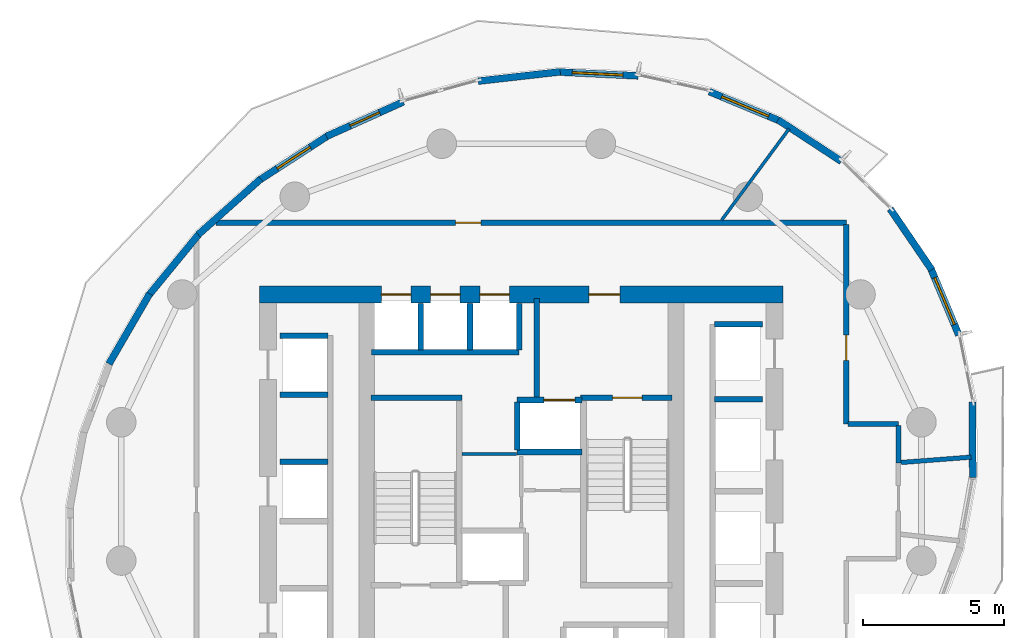
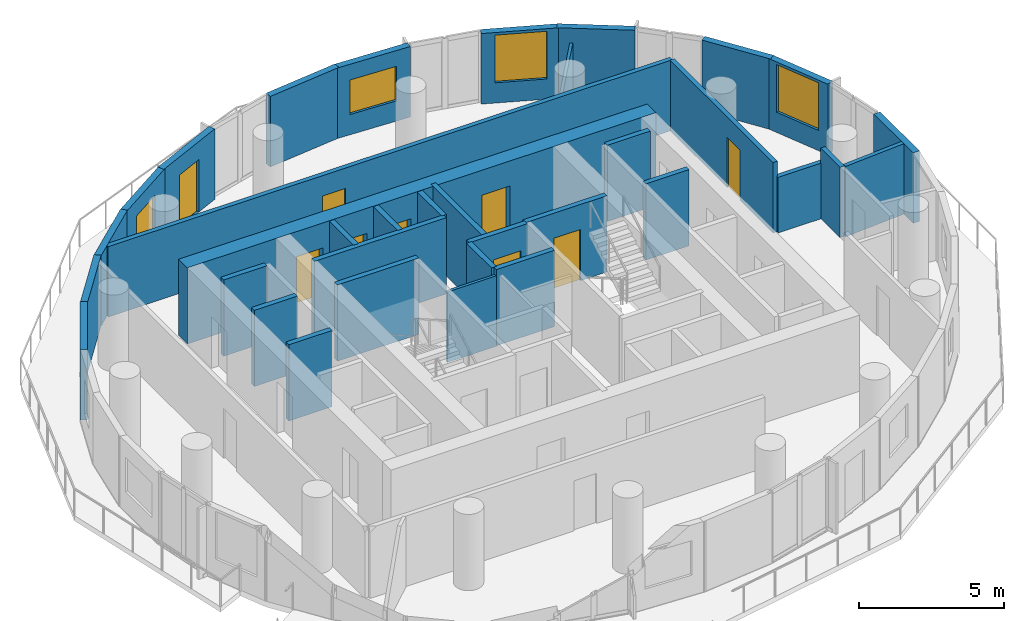
# One storey, part 5 of 11: 35 walls, 9 doors, 4 windows, 13 openings.
"""IFC4 building model written with IfcOpenShell, lengths in metres."""

from ifc_helpers import new_model, si_unit, direction, frame, frame_2d, origin, place, context, subcontext, project, spatial, rectangle, extrude, material, layer, layer_set, type_object, element, fill, save


model = new_model("IFC4")

# Units and contexts
model_context = context("Model", 3, precision=1e-05, world=origin(), true_north=direction((0.0, 1.0)))
body_context = subcontext(model_context, "Body", "Model", "MODEL_VIEW")
ifc_project = project(units=[si_unit("LENGTHUNIT", "METRE"), si_unit("AREAUNIT", "SQUARE_METRE"), si_unit("VOLUMEUNIT", "CUBIC_METRE"), si_unit("PLANEANGLEUNIT", "RADIAN"), si_unit("MASSUNIT", "GRAM", prefix="KILO")], contexts=[model_context])

# Site, building, storey
site_placement = place(None, origin())
site = spatial("IfcSite", under=ifc_project, at=site_placement, CompositionType="ELEMENT")
building_placement = place(site_placement, origin())
building = spatial("IfcBuilding", under=site, at=building_placement, Name="Veldorim Arch Residences", CompositionType="ELEMENT")
storey_placement = place(building_placement, frame((0.0, 0.0, 116.9599609375)))
storey = spatial("IfcBuildingStorey", under=building, at=storey_placement, Name="L34", CompositionType="ELEMENT", Elevation=116.9599609375)

# Wall, opening, door
ifc_material_1 = material(Name="Lightweight Masonry Block & Gypsum", Category="masonry")
ifc_layer_1 = layer(ifc_material_1, 0.179931640625, Name="Compartment & Corridor Fire-Rated Party Wall 180")
ifc_layer_set_1 = layer_set([ifc_layer_1], Name="Lightweight Masonry Block & Gypsum")
wall_type_1 = type_object("IfcWallType", Name="Compartment & Corridor Fire-Rated Party Wall 180", PredefinedType="PARTITIONING", material=ifc_layer_set_1)
wall_1_placement = place(storey_placement, frame((21.152587890625, 33.550048828125, 0.0), z_axis=(0.0, 0.0, 1.0), x_axis=(1.0, 0.0, 0.0)))
wall_1 = element("IfcWall", 1, at=wall_1_placement, inside=storey, type_object=wall_type_1, Name="L34 interior wall WL-SKY-L34-001", PredefinedType="PARTITIONING", context=body_context, shape_type="SweptSolid", body=[
    extrude(rectangle(XDim=22.3974609375, YDim=0.179931640625, at=frame_2d((11.19873046875, 0.0))), origin(), (0.0, 0.0, 1.0), 2.955078125),
])
opening_1_placement = place(wall_1_placement, frame((8.51171875, 0.0, 0.0)))
opening_1 = element("IfcOpeningElement", 2, at=opening_1_placement, cuts=wall_1, Name="Opening DR-INT", PredefinedType="OPENING", context=body_context, shape_type="SweptSolid", body=[
    extrude(rectangle(XDim=0.89990234375, YDim=2.10009765625, at=frame_2d((0.449951171875, 1.050048828125))), frame((0.0, 0.099853515625, 0.0), z_axis=(0.0, -1.0, 0.0), x_axis=(1.0, 0.0, 0.0)), (0.0, 0.0, 1.0), 0.199951171875),
])
ifc_material_2 = material(Name="Engineered Timber", Category="wood")
door_type_1 = type_object("IfcDoorType", Name="Apartment Internal Room Timber Door 900x2100", OperationType="SINGLE_SWING_LEFT", PredefinedType="DOOR", material=ifc_material_2)
door_1_placement = place(opening_1_placement, origin())
door_1 = element("IfcDoor", 3, at=door_1_placement, inside=storey, type_object=door_type_1, Name="L34 interior door DR-SKY-L34-001", OperationType="SINGLE_SWING_LEFT", OverallHeight=2.10009765625, OverallWidth=0.89990234375, PredefinedType="DOOR", context=body_context, shape_type="SweptSolid", body=[
    extrude(rectangle(XDim=0.89990234375, YDim=2.10009765625, at=frame_2d((0.449951171875, 1.050048828125))), frame((0.0, 0.02490234375, 0.0), z_axis=(0.0, -1.0, 0.0), x_axis=(1.0, 0.0, 0.0)), (0.0, 0.0, 1.0), 0.050048828125),
])
fill(opening_1, door_1)

wall_2_placement = place(storey_placement, frame((43.550048828125, 33.489990234375, 0.0), z_axis=(0.0, 0.0, 1.0), x_axis=(0.0, -1.0, 0.0)))
wall_2 = element("IfcWall", 4, at=wall_2_placement, inside=storey, type_object=wall_type_1, Name="L34 interior wall WL-SKY-L34-007", PredefinedType="PARTITIONING", context=body_context, shape_type="SweptSolid", body=[
    extrude(rectangle(XDim=7.090087890625, YDim=0.179931640625, at=frame_2d((3.544921875, 0.0))), origin(), (0.0, 0.0, 1.0), 2.955078125),
])
opening_2_placement = place(wall_2_placement, frame((3.93505859375, 0.0, 0.0)))
opening_2 = element("IfcOpeningElement", 5, at=opening_2_placement, cuts=wall_2, Name="Opening DR-INT", PredefinedType="OPENING", context=body_context, shape_type="SweptSolid", body=[
    extrude(rectangle(XDim=0.89990234375, YDim=2.10009765625, at=frame_2d((0.449951171875, 1.050048828125))), frame((0.0, 0.099853515625, 0.0), z_axis=(0.0, -1.0, 0.0), x_axis=(1.0, 0.0, 0.0)), (0.0, 0.0, 1.0), 0.199951171875),
])
door_2_placement = place(opening_2_placement, origin())
door_2 = element("IfcDoor", 6, at=door_2_placement, inside=storey, type_object=door_type_1, Name="L34 interior door DR-SKY-L34-005", OperationType="SINGLE_SWING_LEFT", OverallHeight=2.10009765625, OverallWidth=0.89990234375, PredefinedType="DOOR", context=body_context, shape_type="SweptSolid", body=[
    extrude(rectangle(XDim=0.89990234375, YDim=2.10009765625, at=frame_2d((0.449951171875, 1.050048828125))), frame((0.0, 0.02490234375, 0.0), z_axis=(0.0, -1.0, 0.0), x_axis=(1.0, 0.0, 0.0)), (0.0, 0.0, 1.0), 0.050048828125),
])
fill(opening_2, door_2)

# Walls
wall_3_placement = place(storey_placement, frame((43.610107421875, 26.39990234375, 0.0), z_axis=(0.0, 0.0, 1.0), x_axis=(1.0, 0.0, 0.0)))
element("IfcWall", 7, at=wall_3_placement, inside=storey, type_object=wall_type_1, Name="L34 interior wall WL-SKY-L34-008", PredefinedType="PARTITIONING", context=body_context, shape_type="SweptSolid", body=[
    extrude(rectangle(XDim=1.789794921875, YDim=0.179931640625, at=frame_2d((0.89501953125, 0.0))), origin(), (0.0, 0.0, 1.0), 2.3359375),
])
wall_4_placement = place(storey_placement, frame((45.39990234375, 26.340087890625, 0.0), z_axis=(0.0, 0.0, 1.0), x_axis=(0.0, -1.0, 0.0)))
element("IfcWall", 8, at=wall_4_placement, inside=storey, type_object=wall_type_1, Name="L34 interior wall WL-SKY-L34-009", PredefinedType="PARTITIONING", context=body_context, shape_type="SweptSolid", body=[
    extrude(rectangle(XDim=1.33837890625, YDim=0.179931640625, at=frame_2d((0.669189453125, 0.0))), origin(), (0.0, 0.0, 1.0), 2.955078125),
])
ifc_material_3 = material(Name="Concrete C50/60", Category="concrete")
ifc_layer_2 = layer(ifc_material_3, 0.199951171875, Name="Core Stair & Lift Shaft Enclosure Wall 200")
ifc_layer_set_2 = layer_set([ifc_layer_2], Name="Concrete C50/60")
wall_type_2 = type_object("IfcWallType", Name="Core Stair & Lift Shaft Enclosure Wall 200", PredefinedType="SHEAR", material=ifc_layer_set_2)
wall_5_placement = place(storey_placement, frame((26.64990234375, 27.330078125, 0.0), z_axis=(0.0, 0.0, 1.0), x_axis=(1.0, 0.0, 0.0)))
element("IfcWall", 9, at=wall_5_placement, inside=storey, type_object=wall_type_2, Name="L34 shaft wall WL-SHF-L34-ST1-N", PredefinedType="SHEAR", context=body_context, shape_type="SweptSolid", body=[
    extrude(rectangle(XDim=3.239990234375, YDim=0.199951171875, at=frame_2d((1.6201171875, 0.0))), origin(), (0.0, 0.0, 1.0), 3.199951171875),
])

# Wall, opening, door
wall_6_placement = place(storey_placement, frame((34.110107421875, 27.330078125, 0.0), z_axis=(0.0, 0.0, 1.0), x_axis=(1.0, 0.0, 0.0)))
wall_6 = element("IfcWall", 10, at=wall_6_placement, inside=storey, type_object=wall_type_2, Name="L34 shaft wall WL-SHF-L34-ST2-N", PredefinedType="SHEAR", context=body_context, shape_type="SweptSolid", body=[
    extrude(rectangle(XDim=3.239990234375, YDim=0.199951171875, at=frame_2d((1.6201171875, 0.0))), origin(), (0.0, 0.0, 1.0), 3.199951171875),
])
opening_3_placement = place(wall_6_placement, frame((1.135009765625, 0.0, 0.0)))
opening_3 = element("IfcOpeningElement", 11, at=opening_3_placement, cuts=wall_6, Name="Opening DR-ST", PredefinedType="OPENING", context=body_context, shape_type="SweptSolid", body=[
    extrude(rectangle(XDim=1.050048828125, YDim=2.14990234375, at=frame_2d((0.52490234375, 1.074951171875))), frame((0.0, 0.10986328125, 0.0), z_axis=(0.0, -1.0, 0.0), x_axis=(1.0, 0.0, 0.0)), (0.0, 0.0, 1.0), 0.219970703125),
])
ifc_material_4 = material(Name="Fire-Rated Steel", Category="steel")
door_type_2 = type_object("IfcDoorType", Name="Exit Staircase Self-Closing Fire Door 1050x2150", OperationType="SINGLE_SWING_LEFT", PredefinedType="DOOR", material=ifc_material_4)
door_3_placement = place(opening_3_placement, origin())
door_3 = element("IfcDoor", 12, at=door_3_placement, inside=storey, type_object=door_type_2, Name="L34 interior door DR-L34-ST2", OperationType="SINGLE_SWING_RIGHT", OverallHeight=2.14990234375, OverallWidth=1.050048828125, PredefinedType="DOOR", context=body_context, shape_type="SweptSolid", body=[
    extrude(rectangle(XDim=1.050048828125, YDim=2.14990234375, at=frame_2d((0.52490234375, 1.074951171875))), frame((0.0, 0.02490234375, 0.0), z_axis=(0.0, -1.0, 0.0), x_axis=(1.0, 0.0, 0.0)), (0.0, 0.0, 1.0), 0.050048828125),
])
fill(opening_3, door_3)

# Wall
wall_7_placement = place(storey_placement, frame((32.550048828125, 27.35009765625, 0.0), z_axis=(0.0, 0.0, 1.0), x_axis=(0.0, 1.0, 0.0)))
element("IfcWall", 13, at=wall_7_placement, inside=storey, type_object=wall_type_2, Name="L34 shaft wall WL-FFL2-L34-W", PredefinedType="SHEAR", context=body_context, shape_type="SweptSolid", body=[
    extrude(rectangle(XDim=3.5, YDim=0.199951171875, at=frame_2d((1.75, 0.0))), origin(), (0.0, 0.0, 1.0), 3.199951171875),
])

# Wall, opening, door
wall_8_placement = place(storey_placement, frame((31.85009765625, 27.25, 0.0), z_axis=(0.0, 0.0, 1.0), x_axis=(1.0, 0.0, 0.0)))
wall_8 = element("IfcWall", 14, at=wall_8_placement, inside=storey, type_object=wall_type_2, Name="L34 shaft wall WL-FL02-L34-N", PredefinedType="SHEAR", context=body_context, shape_type="SweptSolid", body=[
    extrude(rectangle(XDim=2.2998046875, YDim=0.199951171875, at=frame_2d((1.14990234375, 0.0))), origin(), (0.0, 0.0, 1.0), 3.199951171875),
])
opening_4_placement = place(wall_8_placement, frame((0.949951171875, 0.0, 0.0)))
opening_4 = element("IfcOpeningElement", 15, at=opening_4_placement, cuts=wall_8, Name="Opening LD-FF", PredefinedType="OPENING", context=body_context, shape_type="SweptSolid", body=[
    extrude(rectangle(XDim=1.10009765625, YDim=2.14990234375, at=frame_2d((0.550048828125, 1.074951171875))), frame((0.0, 0.10986328125, 0.0), z_axis=(0.0, -1.0, 0.0), x_axis=(1.0, 0.0, 0.0)), (0.0, 0.0, 1.0), 0.219970703125),
])
ifc_material_5 = material(Name="Stainless Steel", Category="steel")
door_type_3 = type_object("IfcDoorType", Name="Firefighting Lift Bi-Parting Sliding Landing Door 1100x2150", OperationType="DOUBLE_DOOR_SLIDING", PredefinedType="DOOR", material=ifc_material_5)
door_4_placement = place(opening_4_placement, origin())
door_4 = element("IfcDoor", 16, at=door_4_placement, inside=storey, type_object=door_type_3, Name="L34 lift landing door LD-L34-FL02", OperationType="DOUBLE_DOOR_SLIDING", OverallHeight=2.14990234375, OverallWidth=1.10009765625, PredefinedType="DOOR", context=body_context, shape_type="SweptSolid", body=[
    extrude(rectangle(XDim=1.10009765625, YDim=2.14990234375, at=frame_2d((0.550048828125, 1.074951171875))), frame((0.0, 0.02490234375, 0.0), z_axis=(0.0, -1.0, 0.0), x_axis=(1.0, 0.0, 0.0)), (0.0, 0.0, 1.0), 0.050048828125),
])
fill(opening_4, door_4)

# Walls
wall_9_placement = place(storey_placement, frame((31.85009765625, 25.39990234375, 0.0), z_axis=(0.0, 0.0, 1.0), x_axis=(1.0, 0.0, 0.0)))
element("IfcWall", 17, at=wall_9_placement, inside=storey, type_object=wall_type_2, Name="L34 shaft wall WL-FL02-L34-S", PredefinedType="SHEAR", context=body_context, shape_type="SweptSolid", body=[
    extrude(rectangle(XDim=2.2998046875, YDim=0.199951171875, at=frame_2d((1.14990234375, 0.0))), origin(), (0.0, 0.0, 1.0), 3.199951171875),
])
for number, where, z_axis, x_axis, name in (
    (18, (31.85009765625, 25.469970703125, 0.0), (0.0, 0.0, 1.0), (0.0, 1.0, 0.0), "L34 shaft wall WL-FL02-L34-W"),
    (19, (38.8701171875, 29.93994140625, 0.0), (0.0, 0.0, 1.0), (1.0, 0.0, 0.0), "L34 shaft wall WL-B1-L34-N"),
    (20, (38.8701171875, 27.27490234375, 0.0), (0.0, 0.0, 1.0), (1.0, 0.0, 0.0), "L34 shaft wall WL-B1-L34-D3"),
    (21, (23.419921875, 29.5400390625, 0.0), (0.0, 0.0, 1.0), (1.0, 0.0, 0.0), "L34 shaft wall WL-B2-L34-N"),
    (22, (23.419921875, 25.06005859375, 0.0), (0.0, 0.0, 1.0), (1.0, 0.0, 0.0), "L34 shaft wall WL-B2-L34-D2A"),
    (23, (23.419921875, 27.43994140625, 0.0), (0.0, 0.0, 1.0), (1.0, 0.0, 0.0), "L34 shaft wall WL-B2-L34-D2B"),
):
    element("IfcWall", number, at=place(storey_placement, frame(where, z_axis=z_axis, x_axis=x_axis)), inside=storey, type_object=wall_type_2, Name=name, PredefinedType="SHEAR", context=body_context, shape_type="SweptSolid", body=[
        extrude(rectangle(XDim=1.7099609375, YDim=0.199951171875, at=frame_2d((0.85498046875, 0.0))), origin(), (0.0, 0.0, 1.0), 3.199951171875),
    ])
wall_10_placement = place(storey_placement, frame((26.679931640625, 28.949951171875, 0.0), z_axis=(0.0, 0.0, 1.0), x_axis=(1.0, 0.0, 0.0)))
element("IfcWall", 24, at=wall_10_placement, inside=storey, type_object=wall_type_2, Name="L34 shaft wall WL-B3-L34-S", PredefinedType="SHEAR", context=body_context, shape_type="SweptSolid", body=[
    extrude(rectangle(XDim=5.239990234375, YDim=0.199951171875, at=frame_2d((2.6201171875, 0.0))), origin(), (0.0, 0.0, 1.0), 3.199951171875),
])
for number, where, z_axis, x_axis, name in (
    (25, (31.919921875, 29.02001953125, 0.0), (0.0, 0.0, 1.0), (0.0, 1.0, 0.0), "L34 shaft wall WL-B3-L34-E"),
    (26, (28.425048828125, 29.02001953125, 0.0), (0.0, 0.0, 1.0), (0.0, 1.0, 0.0), "L34 shaft wall WL-B3-L34-D1"),
    (27, (30.175048828125, 29.02001953125, 0.0), (0.0, 0.0, 1.0), (0.0, 1.0, 0.0), "L34 shaft wall WL-B3-L34-D2"),
):
    element("IfcWall", number, at=place(storey_placement, frame(where, z_axis=z_axis, x_axis=x_axis)), inside=storey, type_object=wall_type_2, Name=name, PredefinedType="SHEAR", context=body_context, shape_type="SweptSolid", body=[
        extrude(rectangle(XDim=1.659912109375, YDim=0.199951171875, at=frame_2d((0.830078125, 0.0))), origin(), (0.0, 0.0, 1.0), 3.199951171875),
    ])

# Wall, openings, doors
ifc_material_6 = material(Name="Concrete C50/60", Category="concrete")
ifc_layer_3 = layer(ifc_material_6, 0.60009765625, Name="Mid-Upper Central Core Shear Wall 600")
ifc_layer_set_3 = layer_set([ifc_layer_3], Name="Concrete C50/60")
wall_type_3 = type_object("IfcWallType", Name="Mid-Upper Central Core Shear Wall 600", PredefinedType="SHEAR", material=ifc_layer_set_3)
wall_11_placement = place(storey_placement, frame((22.699951171875, 31.0, 0.0), z_axis=(0.0, 0.0, 1.0), x_axis=(1.0, 0.0, 0.0)))
wall_11 = element("IfcWall", 28, at=wall_11_placement, inside=storey, type_object=wall_type_3, Name="L34 central core north shear wall", PredefinedType="SHEAR", context=body_context, shape_type="SweptSolid", body=[
    extrude(rectangle(XDim=18.60009765625, YDim=0.60009765625, at=frame_2d((9.300048828125, 0.0))), origin(), (0.0, 0.0, 1.0), 3.199951171875),
])
opening_5_placement = place(wall_11_placement, frame((11.699951171875, 0.0, 0.0)))
opening_5 = element("IfcOpeningElement", 29, at=opening_5_placement, cuts=wall_11, Name="Opening DR-FFL", PredefinedType="OPENING", context=body_context, shape_type="SweptSolid", body=[
    extrude(rectangle(XDim=1.10009765625, YDim=2.14990234375, at=frame_2d((0.550048828125, 1.074951171875))), frame((0.0, 0.31005859375, 0.0), z_axis=(0.0, -1.0, 0.0), x_axis=(1.0, 0.0, 0.0)), (0.0, 0.0, 1.0), 0.6201171875),
])
opening_6_placement = place(wall_11_placement, frame((4.324951171875, 0.0, 0.0)))
opening_6 = element("IfcOpeningElement", 30, at=opening_6_placement, cuts=wall_11, Name="Opening LD-PS", PredefinedType="OPENING", context=body_context, shape_type="SweptSolid", body=[
    extrude(rectangle(XDim=1.050048828125, YDim=2.14990234375, at=frame_2d((0.52490234375, 1.074951171875))), frame((0.0, 0.31005859375, 0.0), z_axis=(0.0, -1.0, 0.0), x_axis=(1.0, 0.0, 0.0)), (0.0, 0.0, 1.0), 0.6201171875),
])
opening_7_placement = place(wall_11_placement, frame((6.074951171875, 0.0, 0.0)))
opening_7 = element("IfcOpeningElement", 31, at=opening_7_placement, cuts=wall_11, Name="Opening LD-PS", PredefinedType="OPENING", context=body_context, shape_type="SweptSolid", body=[
    extrude(rectangle(XDim=1.050048828125, YDim=2.14990234375, at=frame_2d((0.52490234375, 1.074951171875))), frame((0.0, 0.31005859375, 0.0), z_axis=(0.0, -1.0, 0.0), x_axis=(1.0, 0.0, 0.0)), (0.0, 0.0, 1.0), 0.6201171875),
])
opening_8_placement = place(wall_11_placement, frame((7.824951171875, 0.0, 0.0)))
opening_8 = element("IfcOpeningElement", 32, at=opening_8_placement, cuts=wall_11, Name="Opening LD-PS", PredefinedType="OPENING", context=body_context, shape_type="SweptSolid", body=[
    extrude(rectangle(XDim=1.050048828125, YDim=2.14990234375, at=frame_2d((0.52490234375, 1.074951171875))), frame((0.0, 0.31005859375, 0.0), z_axis=(0.0, -1.0, 0.0), x_axis=(1.0, 0.0, 0.0)), (0.0, 0.0, 1.0), 0.6201171875),
])
ifc_material_7 = material(Name="Fire-Rated Steel & Vision Glass", Category="steel")
door_type_4 = type_object("IfcDoorType", Name="Firefighting Lobby Smoke-Stop Fire Door 1100x2150", OperationType="SINGLE_SWING_LEFT", PredefinedType="DOOR", material=ifc_material_7)
door_5_placement = place(opening_5_placement, origin())
door_5 = element("IfcDoor", 33, at=door_5_placement, inside=storey, type_object=door_type_4, Name="L34 interior door DR-L34-FFL2", OperationType="SINGLE_SWING_LEFT", OverallHeight=2.14990234375, OverallWidth=1.10009765625, PredefinedType="DOOR", context=body_context, shape_type="SweptSolid", body=[
    extrude(rectangle(XDim=1.10009765625, YDim=2.14990234375, at=frame_2d((0.550048828125, 1.074951171875))), frame((0.0, 0.02490234375, 0.0), z_axis=(0.0, -1.0, 0.0), x_axis=(1.0, 0.0, 0.0)), (0.0, 0.0, 1.0), 0.050048828125),
])
fill(opening_5, door_5)
ifc_material_8 = material(Name="Stainless Steel", Category="steel")
door_type_5 = type_object("IfcDoorType", Name="Passenger Lift Bi-Parting Sliding Landing Door 1050x2150", OperationType="DOUBLE_DOOR_SLIDING", PredefinedType="DOOR", material=ifc_material_8)
door_6_placement = place(opening_6_placement, origin())
door_6 = element("IfcDoor", 34, at=door_6_placement, inside=storey, type_object=door_type_5, Name="L34 lift landing door LD-L34-PL-08", OperationType="DOUBLE_DOOR_SLIDING", OverallHeight=2.14990234375, OverallWidth=1.050048828125, PredefinedType="DOOR", context=body_context, shape_type="SweptSolid", body=[
    extrude(rectangle(XDim=1.050048828125, YDim=2.14990234375, at=frame_2d((0.52490234375, 1.074951171875))), frame((0.0, 0.02490234375, 0.0), z_axis=(0.0, -1.0, 0.0), x_axis=(1.0, 0.0, 0.0)), (0.0, 0.0, 1.0), 0.050048828125),
])
fill(opening_6, door_6)
door_7_placement = place(opening_7_placement, origin())
door_7 = element("IfcDoor", 35, at=door_7_placement, inside=storey, type_object=door_type_5, Name="L34 lift landing door LD-L34-PL-09", OperationType="DOUBLE_DOOR_SLIDING", OverallHeight=2.14990234375, OverallWidth=1.050048828125, PredefinedType="DOOR", context=body_context, shape_type="SweptSolid", body=[
    extrude(rectangle(XDim=1.050048828125, YDim=2.14990234375, at=frame_2d((0.52490234375, 1.074951171875))), frame((0.0, 0.02490234375, 0.0), z_axis=(0.0, -1.0, 0.0), x_axis=(1.0, 0.0, 0.0)), (0.0, 0.0, 1.0), 0.050048828125),
])
fill(opening_7, door_7)
door_8_placement = place(opening_8_placement, origin())
door_8 = element("IfcDoor", 36, at=door_8_placement, inside=storey, type_object=door_type_5, Name="L34 lift landing door LD-L34-PL-10", OperationType="DOUBLE_DOOR_SLIDING", OverallHeight=2.14990234375, OverallWidth=1.050048828125, PredefinedType="DOOR", context=body_context, shape_type="SweptSolid", body=[
    extrude(rectangle(XDim=1.050048828125, YDim=2.14990234375, at=frame_2d((0.52490234375, 1.074951171875))), frame((0.0, 0.02490234375, 0.0), z_axis=(0.0, -1.0, 0.0), x_axis=(1.0, 0.0, 0.0)), (0.0, 0.0, 1.0), 0.050048828125),
])
fill(opening_8, door_8)

# Walls
ifc_material_9 = material(Name="Anodised Aluminium & Acoustic Panel", Category="aluminium")
ifc_layer_4 = layer(ifc_material_9, 0.110107421875, Name="Operable Acoustic Clinic & Community Folding Partition 110")
ifc_layer_set_4 = layer_set([ifc_layer_4], Name="Anodised Aluminium & Acoustic Panel")
wall_type_4 = type_object("IfcWallType", Name="Operable Acoustic Clinic & Community Folding Partition 110", PredefinedType="MOVABLE", material=ifc_layer_set_4)
wall_12_placement = place(storey_placement, frame((29.889892578125, 25.330078125, 0.0), z_axis=(0.0, 0.0, 1.0), x_axis=(1.0, 0.0, 0.0)))
element("IfcWall", 37, at=wall_12_placement, inside=storey, type_object=wall_type_4, Name="L34 interior wall WL-CA-L34-N", PredefinedType="MOVABLE", context=body_context, shape_type="SweptSolid", body=[
    extrude(rectangle(XDim=1.940185546875, YDim=0.110107421875, at=frame_2d((0.97021484375, 0.0))), origin(), (0.0, 0.0, 1.0), 2.955078125),
])
wall_13_placement = place(storey_placement, frame((41.5166015625, 36.88916015625, 0.0), z_axis=(0.0, 0.0, 1.0), x_axis=(-0.593954984118, -0.804498276469, 0.0)))
element("IfcWall", 38, at=wall_13_placement, inside=storey, type_object=wall_type_4, Name="L34 interior wall WL-SKY-L34-010", PredefinedType="MOVABLE", context=body_context, shape_type="SweptSolid", body=[
    extrude(rectangle(XDim=4.03076171875, YDim=0.110107421875, at=frame_2d((2.015380859375, 0.0))), origin(), (0.0, 0.0, 1.0), 2.3359375),
])
ifc_material_10 = material(Name="Precast concrete C40/50", Category="concrete")
ifc_layer_5 = layer(ifc_material_10, 0.25, Name="Tower Terracotta Spandrel & Pier Wall 250")
ifc_layer_set_5 = layer_set([ifc_layer_5], Name="Precast concrete C40/50")
wall_type_5 = type_object("IfcWallType", Name="Tower Terracotta Spandrel & Pier Wall 250", PredefinedType="SOLIDWALL", material=ifc_layer_set_5)
wall_14_placement = place(storey_placement, frame((45.111083984375, 34.0439453125, 0.0), z_axis=(0.0, 0.0, 1.0), x_axis=(0.563599495618, -0.826048187783, 0.0)))
element("IfcWall", 39, at=wall_14_placement, inside=storey, type_object=wall_type_5, Name="L34 terracotta facade wall 01", PredefinedType="SOLIDWALL", context=body_context, shape_type="SweptSolid", body=[
    extrude(rectangle(XDim=2.624267578125, YDim=0.25, at=frame_2d((1.31201171875, 0.0))), origin(), (0.0, 0.0, 1.0), 2.9599609375),
])
wall_15_placement = place(storey_placement, frame((41.125732421875, 37.2109375, 0.0), z_axis=(0.0, 0.0, 1.0), x_axis=(0.836445365251, -0.5480503179, 0.0)))
element("IfcWall", 40, at=wall_15_placement, inside=storey, type_object=wall_type_5, Name="L34 terracotta facade wall 03", PredefinedType="SOLIDWALL", context=body_context, shape_type="SweptSolid", body=[
    extrude(rectangle(XDim=2.69287109375, YDim=0.25, at=frame_2d((1.346435546875, 0.0))), origin(), (0.0, 0.0, 1.0), 2.9599609375),
])

# Wall, opening, window
wall_16_placement = place(storey_placement, frame((38.6845703125, 38.215576171875, 0.0), z_axis=(0.0, 0.0, 1.0), x_axis=(0.923242191478, -0.384218500172, 0.0)))
wall_16 = element("IfcWall", 41, at=wall_16_placement, inside=storey, type_object=wall_type_5, Name="L34 terracotta facade wall 04", PredefinedType="SOLIDWALL", context=body_context, shape_type="SweptSolid", body=[
    extrude(rectangle(XDim=2.751953125, YDim=0.25, at=frame_2d((1.3759765625, 0.0))), origin(), (0.0, 0.0, 1.0), 2.9599609375),
])
opening_9_placement = place(wall_16_placement, frame((0.47607421875, 0.0, 0.85009765625)))
opening_9 = element("IfcOpeningElement", 42, at=opening_9_placement, cuts=wall_16, Name="Opening WN-04", PredefinedType="OPENING", context=body_context, shape_type="SweptSolid", body=[
    extrude(rectangle(XDim=1.800048828125, YDim=2.0, at=frame_2d((0.89990234375, 1.0))), frame((0.0, 0.135009765625, 0.0), z_axis=(0.0, -1.0, 0.0), x_axis=(1.0, 0.0, 0.0)), (0.0, 0.0, 1.0), 0.27001953125),
])
ifc_material_11 = material(Name="Laminated Low-E Glass", Category="glass")
window_type_1 = type_object("IfcWindowType", Name="Sky Lounge Tall Picture Window 1800x1370", PartitioningType="SINGLE_PANEL", PredefinedType="WINDOW", material=ifc_material_11)
window_1_placement = place(opening_9_placement, origin())
window_1 = element("IfcWindow", 43, at=window_1_placement, inside=storey, type_object=window_type_1, Name="L34 solar-control facade window 04", OverallHeight=2.0, OverallWidth=1.800048828125, PartitioningType="SINGLE_PANEL", PredefinedType="WINDOW", context=body_context, shape_type="SweptSolid", body=[
    extrude(rectangle(XDim=1.800048828125, YDim=2.0, at=frame_2d((0.89990234375, 1.0))), frame((0.0, 0.030029296875, 0.0), z_axis=(0.0, -1.0, 0.0), x_axis=(1.0, 0.0, 0.0)), (0.0, 0.0, 1.0), 0.06005859375),
])
fill(opening_9, window_1)

wall_17_placement = place(storey_placement, frame((33.271240234375, 38.913818359375, 0.0), z_axis=(0.0, 0.0, 1.0), x_axis=(0.998829284317, -0.048374174838, 0.0)))
wall_17 = element("IfcWall", 44, at=wall_17_placement, inside=storey, type_object=wall_type_5, Name="L34 terracotta facade wall 06", PredefinedType="SOLIDWALL", context=body_context, shape_type="SweptSolid", body=[
    extrude(rectangle(XDim=2.8818359375, YDim=0.25, at=frame_2d((1.44091796875, 0.0))), origin(), (0.0, 0.0, 1.0), 2.9599609375),
])
opening_10_placement = place(wall_17_placement, frame((0.541015625, 0.0, 0.85009765625)))
opening_10 = element("IfcOpeningElement", 45, at=opening_10_placement, cuts=wall_17, Name="Opening WN-04", PredefinedType="OPENING", context=body_context, shape_type="SweptSolid", body=[
    extrude(rectangle(XDim=1.800048828125, YDim=1.449951171875, at=frame_2d((0.89990234375, 0.72509765625))), frame((0.0, 0.135009765625, 0.0), z_axis=(0.0, -1.0, 0.0), x_axis=(1.0, 0.0, 0.0)), (0.0, 0.0, 1.0), 0.27001953125),
])
window_2_placement = place(opening_10_placement, origin())
window_2 = element("IfcWindow", 46, at=window_2_placement, inside=storey, type_object=window_type_1, Name="L34 solar-control facade window 06", OverallHeight=1.449951171875, OverallWidth=1.800048828125, PartitioningType="SINGLE_PANEL", PredefinedType="WINDOW", context=body_context, shape_type="SweptSolid", body=[
    extrude(rectangle(XDim=1.800048828125, YDim=1.449951171875, at=frame_2d((0.89990234375, 0.72509765625))), frame((0.0, 0.030029296875, 0.0), z_axis=(0.0, -1.0, 0.0), x_axis=(1.0, 0.0, 0.0)), (0.0, 0.0, 1.0), 0.06005859375),
])
fill(opening_10, window_2)

# Wall
wall_18_placement = place(storey_placement, frame((30.462890625, 38.58544921875, 0.0), z_axis=(0.0, 0.0, 1.0), x_axis=(0.993589349096, 0.113049570382, 0.0)))
element("IfcWall", 47, at=wall_18_placement, inside=storey, type_object=wall_type_5, Name="L34 terracotta facade wall 07", PredefinedType="SOLIDWALL", context=body_context, shape_type="SweptSolid", body=[
    extrude(rectangle(XDim=2.93701171875, YDim=0.25, at=frame_2d((1.468505859375, 0.0))), origin(), (0.0, 0.0, 1.0), 2.9599609375),
])

# Wall, opening, door
wall_19_placement = place(storey_placement, frame((25.068603515625, 36.62060546875, 0.0), z_axis=(0.0, 0.0, 1.0), x_axis=(0.912043359661, 0.410093782076, 0.0)))
wall_19 = element("IfcWall", 48, at=wall_19_placement, inside=storey, type_object=wall_type_5, Name="L34 terracotta facade wall 09", PredefinedType="SOLIDWALL", context=body_context, shape_type="SweptSolid", body=[
    extrude(rectangle(XDim=2.998046875, YDim=0.25, at=frame_2d((1.4990234375, 0.0))), origin(), (0.0, 0.0, 1.0), 2.9599609375),
])
opening_11_placement = place(wall_19_placement, frame((0.924072265625, 0.0, 0.0)))
opening_11 = element("IfcOpeningElement", 49, at=opening_11_placement, cuts=wall_19, Name="Opening BL-DR", PredefinedType="OPENING", context=body_context, shape_type="SweptSolid", body=[
    extrude(rectangle(XDim=1.14990234375, YDim=2.199951171875, at=frame_2d((0.574951171875, 1.10009765625))), frame((0.0, 0.135009765625, 0.0), z_axis=(0.0, -1.0, 0.0), x_axis=(1.0, 0.0, 0.0)), (0.0, 0.0, 1.0), 0.27001953125),
])
ifc_material_12 = material(Name="Aluminium & Low-E Glass", Category="aluminium")
door_type_6 = type_object("IfcDoorType", Name="Glazed Planted Balcony Door 1150x2200", OperationType="SINGLE_SWING_LEFT", PredefinedType="DOOR", material=ifc_material_12)
door_9_placement = place(opening_11_placement, origin())
door_9 = element("IfcDoor", 50, at=door_9_placement, inside=storey, type_object=door_type_6, Name="L34 glazed outdoor terrace door BALC-1", OperationType="SINGLE_SWING_LEFT", OverallHeight=2.199951171875, OverallWidth=1.14990234375, PredefinedType="DOOR", context=body_context, shape_type="SweptSolid", body=[
    extrude(rectangle(XDim=1.14990234375, YDim=2.199951171875, at=frame_2d((0.574951171875, 1.10009765625))), frame((0.0, 0.02490234375, 0.0), z_axis=(0.0, -1.0, 0.0), x_axis=(1.0, 0.0, 0.0)), (0.0, 0.0, 1.0), 0.050048828125),
])
fill(opening_11, door_9)

# Wall, opening, window
wall_20_placement = place(storey_placement, frame((22.646728515625, 35.043701171875, 0.0), z_axis=(0.0, 0.0, 1.0), x_axis=(0.839563603446, 0.543261406478, 0.0)))
wall_20 = element("IfcWall", 51, at=wall_20_placement, inside=storey, type_object=wall_type_5, Name="L34 terracotta facade wall 10", PredefinedType="SOLIDWALL", context=body_context, shape_type="SweptSolid", body=[
    extrude(rectangle(XDim=2.998291015625, YDim=0.25, at=frame_2d((1.4990234375, 0.0))), origin(), (0.0, 0.0, 1.0), 2.9599609375),
])
opening_12_placement = place(wall_20_placement, frame((0.799072265625, 0.0, 0.85009765625)))
opening_12 = element("IfcOpeningElement", 52, at=opening_12_placement, cuts=wall_20, Name="Opening WN-02", PredefinedType="OPENING", context=body_context, shape_type="SweptSolid", body=[
    extrude(rectangle(XDim=1.39990234375, YDim=1.449951171875, at=frame_2d((0.699951171875, 0.72509765625))), frame((0.0, 0.135009765625, 0.0), z_axis=(0.0, -1.0, 0.0), x_axis=(1.0, 0.0, 0.0)), (0.0, 0.0, 1.0), 0.27001953125),
])
ifc_material_13 = material(Name="Laminated Low-E Glass", Category="glass")
window_type_2 = type_object("IfcWindowType", Name="Residential Casement Window 1400x1550", PartitioningType="SINGLE_PANEL", PredefinedType="WINDOW", material=ifc_material_13)
window_3_placement = place(opening_12_placement, origin())
window_3 = element("IfcWindow", 53, at=window_3_placement, inside=storey, type_object=window_type_2, Name="L34 solar-control facade window 10", OverallHeight=1.449951171875, OverallWidth=1.39990234375, PartitioningType="SINGLE_PANEL", PredefinedType="WINDOW", context=body_context, shape_type="SweptSolid", body=[
    extrude(rectangle(XDim=1.39990234375, YDim=1.449951171875, at=frame_2d((0.699951171875, 0.72509765625))), frame((0.0, 0.030029296875, 0.0), z_axis=(0.0, -1.0, 0.0), x_axis=(1.0, 0.0, 0.0)), (0.0, 0.0, 1.0), 0.06005859375),
])
fill(opening_12, window_3)

# Walls
wall_21_placement = place(storey_placement, frame((20.509765625, 33.130126953125, 0.0), z_axis=(0.0, 0.0, 1.0), x_axis=(0.746920467444, 0.664913389332, 0.0)))
element("IfcWall", 54, at=wall_21_placement, inside=storey, type_object=wall_type_5, Name="L34 terracotta facade wall 11", PredefinedType="SOLIDWALL", context=body_context, shape_type="SweptSolid", body=[
    extrude(rectangle(XDim=2.97705078125, YDim=0.25, at=frame_2d((1.488525390625, 0.0))), origin(), (0.0, 0.0, 1.0), 2.9599609375),
])
wall_22_placement = place(storey_placement, frame((18.722412109375, 30.9384765625, 0.0), z_axis=(0.0, 0.0, 1.0), x_axis=(0.634328076021, 0.7730639637, 0.0)))
element("IfcWall", 55, at=wall_22_placement, inside=storey, type_object=wall_type_5, Name="L34 terracotta facade wall 12", PredefinedType="SOLIDWALL", context=body_context, shape_type="SweptSolid", body=[
    extrude(rectangle(XDim=2.93701171875, YDim=0.25, at=frame_2d((1.468505859375, 0.0))), origin(), (0.0, 0.0, 1.0), 2.9599609375),
])
wall_23_placement = place(storey_placement, frame((17.339599609375, 28.535888671875, 0.0), z_axis=(0.0, 0.0, 1.0), x_axis=(0.501630602612, 0.865081925903, 0.0)))
element("IfcWall", 56, at=wall_23_placement, inside=storey, type_object=wall_type_5, Name="L34 terracotta facade wall 13", PredefinedType="SOLIDWALL", context=body_context, shape_type="SweptSolid", body=[
    extrude(rectangle(XDim=2.8818359375, YDim=0.25, at=frame_2d((1.44091796875, 0.0))), origin(), (0.0, 0.0, 1.0), 2.9599609375),
])
wall_24_placement = place(storey_placement, frame((48.0322265625, 27.184814453125, 0.0), z_axis=(0.0, 0.0, 1.0), x_axis=(0.006164887379, -0.999980996901, 0.0)))
element("IfcWall", 57, at=wall_24_placement, inside=storey, type_object=wall_type_5, Name="L34 terracotta facade wall 34", PredefinedType="SOLIDWALL", context=body_context, shape_type="SweptSolid", body=[
    extrude(rectangle(XDim=2.69287109375, YDim=0.25, at=frame_2d((1.346435546875, 0.0))), origin(), (0.0, 0.0, 1.0), 2.9599609375),
])

# Wall, opening, window
wall_25_placement = place(storey_placement, frame((46.53515625, 31.976806640625, 0.0), z_axis=(0.0, 0.0, 1.0), x_axis=(0.387790779971, -0.921747422546, 0.0)))
wall_25 = element("IfcWall", 58, at=wall_25_placement, inside=storey, type_object=wall_type_5, Name="L34 terracotta facade wall 36", PredefinedType="SOLIDWALL", context=body_context, shape_type="SweptSolid", body=[
    extrude(rectangle(XDim=2.6240234375, YDim=0.25, at=frame_2d((1.31201171875, 0.0))), origin(), (0.0, 0.0, 1.0), 2.9599609375),
])
opening_13_placement = place(wall_25_placement, frame((0.412109375, 0.0, 0.85009765625)))
opening_13 = element("IfcOpeningElement", 59, at=opening_13_placement, cuts=wall_25, Name="Opening WN-04", PredefinedType="OPENING", context=body_context, shape_type="SweptSolid", body=[
    extrude(rectangle(XDim=1.800048828125, YDim=2.0, at=frame_2d((0.89990234375, 1.0))), frame((0.0, 0.135009765625, 0.0), z_axis=(0.0, -1.0, 0.0), x_axis=(1.0, 0.0, 0.0)), (0.0, 0.0, 1.0), 0.27001953125),
])
window_4_placement = place(opening_13_placement, origin())
window_4 = element("IfcWindow", 60, at=window_4_placement, inside=storey, type_object=window_type_1, Name="L34 solar-control facade window 36", OverallHeight=2.0, OverallWidth=1.800048828125, PartitioningType="SINGLE_PANEL", PredefinedType="WINDOW", context=body_context, shape_type="SweptSolid", body=[
    extrude(rectangle(XDim=1.800048828125, YDim=2.0, at=frame_2d((0.89990234375, 1.0))), frame((0.0, 0.030029296875, 0.0), z_axis=(0.0, -1.0, 0.0), x_axis=(1.0, 0.0, 0.0)), (0.0, 0.0, 1.0), 0.06005859375),
])
fill(opening_13, window_4)

# Wall
ifc_material_14 = material(Name="Moisture-Resistant Gypsum & Stud", Category="gypsum")
ifc_layer_6 = layer(ifc_material_14, 0.159912109375, Name="Wet-Area Moisture-Resistant Plumbing Wall 160")
ifc_layer_set_6 = layer_set([ifc_layer_6], Name="Moisture-Resistant Gypsum & Stud")
wall_type_6 = type_object("IfcWallType", Name="Wet-Area Moisture-Resistant Plumbing Wall 160", PredefinedType="PLUMBINGWALL", material=ifc_layer_set_6)
wall_26_placement = place(storey_placement, frame((47.989501953125, 25.218994140625, 0.0), z_axis=(0.0, 0.0, 1.0), x_axis=(-0.997110011019, -0.075971217745, 0.0)))
element("IfcWall", 61, at=wall_26_placement, inside=storey, type_object=wall_type_6, Name="L34 interior wall WL-SKY-L34-013", PredefinedType="PLUMBINGWALL", context=body_context, shape_type="SweptSolid", body=[
    extrude(rectangle(XDim=2.4970703125, YDim=0.159912109375, at=frame_2d((1.24853515625, 0.0))), origin(), (0.0, 0.0, 1.0), 2.955078125),
])

save(model, "model.ifc")
